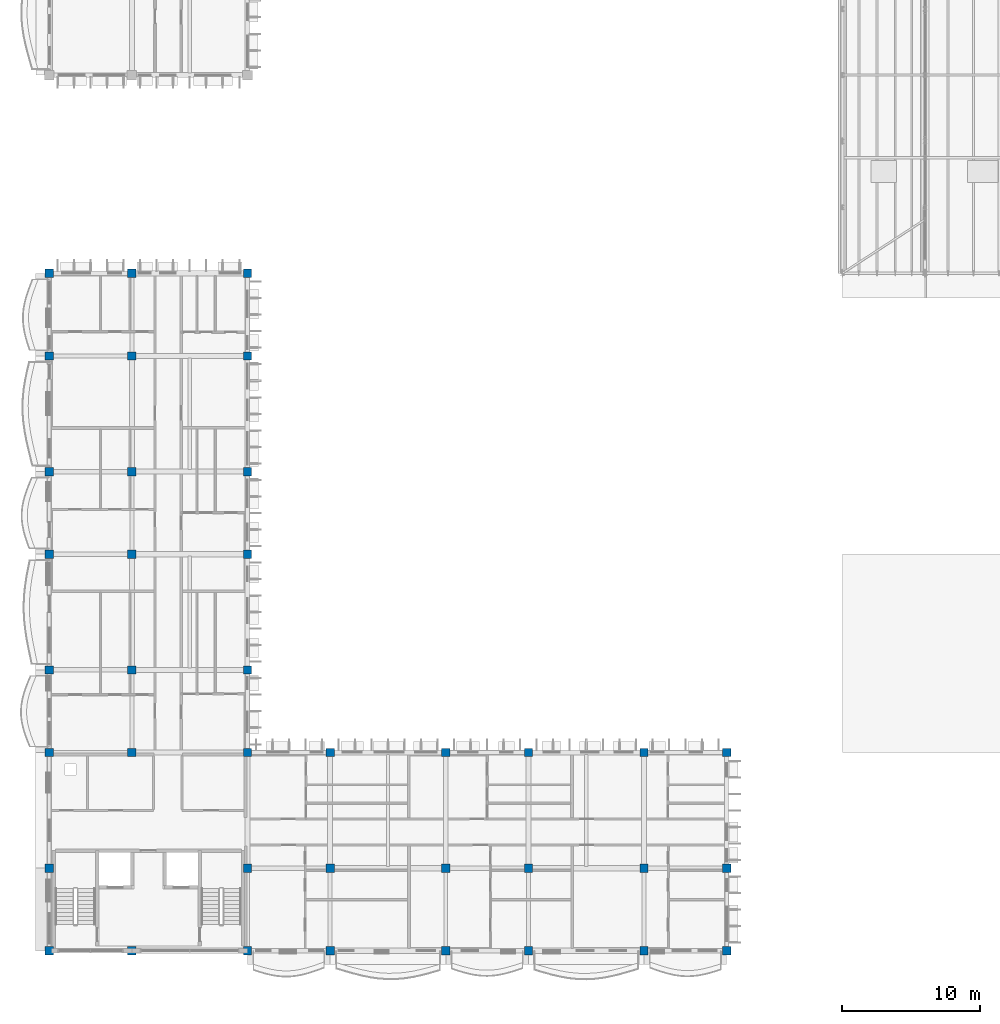
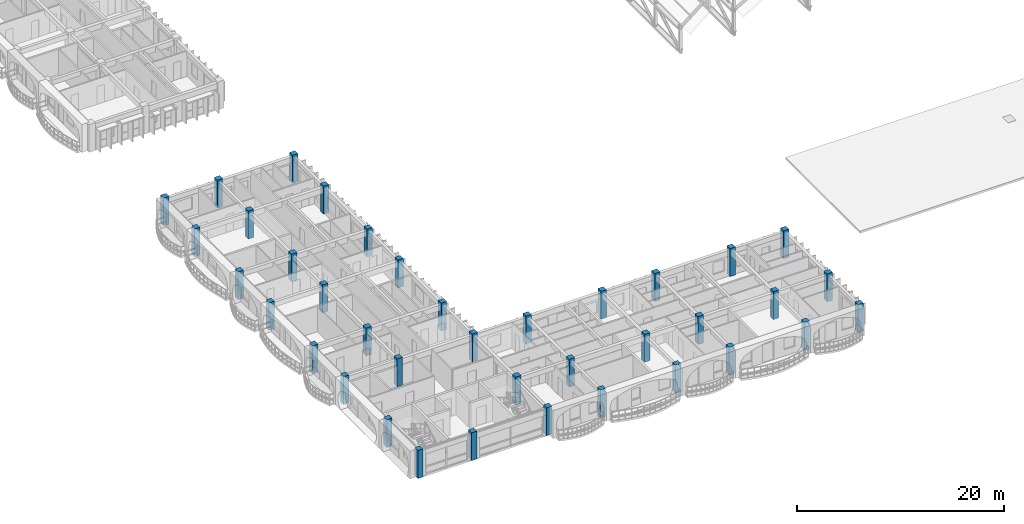
# One storey, part 1 of 101: 38 columns.
"""IFC4 building model written with IfcOpenShell, lengths in metres."""

from ifc_helpers import new_model, si_unit, direction, frame, origin, origin_2d, place, context, subcontext, project, spatial, rectangle, extrude, material, material_profile, profile_set, type_object, element, save


model = new_model("IFC4")

# Units and contexts
model_context = context("Model", 3, precision=1e-05, world=origin(), true_north=direction((0.0, 1.0)))
body_context = subcontext(model_context, "Body", "Model", "MODEL_VIEW")
ifc_project = project(units=[si_unit("LENGTHUNIT", "METRE"), si_unit("AREAUNIT", "SQUARE_METRE"), si_unit("VOLUMEUNIT", "CUBIC_METRE"), si_unit("PLANEANGLEUNIT", "RADIAN"), si_unit("MASSUNIT", "GRAM", prefix="KILO"), si_unit("THERMODYNAMICTEMPERATUREUNIT", "KELVIN")], contexts=[model_context])

# Site, building, storey
site_placement = place(None, origin())
site = spatial("IfcSite", under=ifc_project, at=site_placement, CompositionType="ELEMENT")
building_placement = place(site_placement, origin())
building = spatial("IfcBuilding", under=site, at=building_placement, Name="Thalorik Housing Commons", CompositionType="ELEMENT")
storey_placement = place(building_placement, frame((0.0, 0.0, 8.10009765625)))
storey = spatial("IfcBuildingStorey", under=building, at=storey_placement, Name="L02", CompositionType="ELEMENT", Elevation=8.10009765625)

# Columns
ifc_material = material(Name="Precast concrete C40/50", Category="concrete")
ifc_material_profile = material_profile(ifc_material, rectangle(XDim=0.60009765625, YDim=0.60009765625, at=origin_2d()), Name="PC 600x600", Category="concrete")
ifc_profile_set = profile_set([ifc_material_profile], Name="Precast concrete C40/50")
column_type = type_object("IfcColumnType", Name="STR-COL-PC600", PredefinedType="COLUMN", material=ifc_profile_set)
for number, where, z_axis, x_axis, name in (
    (1, (8.39990234375, 8.39990234375, 0.0), (0.0, 0.0, 1.0), (1.0, 0.0, 0.0), "L02 Column C-600"),
    (2, (8.39990234375, 14.39990234375, 0.0), (0.0, 0.0, 1.0), (1.0, 0.0, 0.0), "L02 Column C-600"),
    (3, (8.39990234375, 22.800048828125, 0.0), (0.0, 0.0, 1.0), (1.0, 0.0, 0.0), "L02 Column C-600"),
    (4, (8.39990234375, 28.800048828125, 0.0), (0.0, 0.0, 1.0), (1.0, 0.0, 0.0), "L02 Column C-600"),
    (5, (8.39990234375, 37.199951171875, 0.0), (0.0, 0.0, 1.0), (1.0, 0.0, 0.0), "L02 Column C-600"),
    (6, (8.39990234375, 43.199951171875, 0.0), (0.0, 0.0, 1.0), (1.0, 0.0, 0.0), "L02 Column C-600"),
    (7, (8.39990234375, 51.60009765625, 0.0), (0.0, 0.0, 1.0), (1.0, 0.0, 0.0), "L02 Column C-600"),
    (8, (8.39990234375, 57.60009765625, 0.0), (0.0, 0.0, 1.0), (1.0, 0.0, 0.0), "L02 Column C-600"),
    (9, (14.39990234375, 8.39990234375, 0.0), (0.0, 0.0, 1.0), (1.0, 0.0, 0.0), "L02 Column C-600"),
    (10, (14.39990234375, 22.800048828125, 0.0), (0.0, 0.0, 1.0), (1.0, 0.0, 0.0), "L02 Column C-600"),
    (11, (14.39990234375, 28.800048828125, 0.0), (0.0, 0.0, 1.0), (1.0, 0.0, 0.0), "L02 Column C-600"),
    (12, (14.39990234375, 37.199951171875, 0.0), (0.0, 0.0, 1.0), (1.0, 0.0, 0.0), "L02 Column C-600"),
    (13, (14.39990234375, 43.199951171875, 0.0), (0.0, 0.0, 1.0), (1.0, 0.0, 0.0), "L02 Column C-600"),
    (14, (14.39990234375, 51.60009765625, 0.0), (0.0, 0.0, 1.0), (1.0, 0.0, 0.0), "L02 Column C-600"),
    (15, (14.39990234375, 57.60009765625, 0.0), (0.0, 0.0, 1.0), (1.0, 0.0, 0.0), "L02 Column C-600"),
    (16, (22.800048828125, 8.39990234375, 0.0), (0.0, 0.0, 1.0), (1.0, 0.0, 0.0), "L02 Column C-600"),
    (17, (22.800048828125, 14.39990234375, 0.0), (0.0, 0.0, 1.0), (1.0, 0.0, 0.0), "L02 Column C-600"),
    (18, (22.800048828125, 22.800048828125, 0.0), (0.0, 0.0, 1.0), (1.0, 0.0, 0.0), "L02 Column C-600"),
    (19, (22.800048828125, 28.800048828125, 0.0), (0.0, 0.0, 1.0), (1.0, 0.0, 0.0), "L02 Column C-600"),
    (20, (22.800048828125, 37.199951171875, 0.0), (0.0, 0.0, 1.0), (1.0, 0.0, 0.0), "L02 Column C-600"),
    (21, (22.800048828125, 43.199951171875, 0.0), (0.0, 0.0, 1.0), (1.0, 0.0, 0.0), "L02 Column C-600"),
    (22, (22.800048828125, 51.60009765625, 0.0), (0.0, 0.0, 1.0), (1.0, 0.0, 0.0), "L02 Column C-600"),
    (23, (22.800048828125, 57.60009765625, 0.0), (0.0, 0.0, 1.0), (1.0, 0.0, 0.0), "L02 Column C-600"),
    (24, (28.800048828125, 8.39990234375, 0.0), (0.0, 0.0, 1.0), (1.0, 0.0, 0.0), "L02 Column C-600"),
    (25, (28.800048828125, 14.39990234375, 0.0), (0.0, 0.0, 1.0), (1.0, 0.0, 0.0), "L02 Column C-600"),
    (26, (28.800048828125, 22.800048828125, 0.0), (0.0, 0.0, 1.0), (1.0, 0.0, 0.0), "L02 Column C-600"),
    (27, (37.199951171875, 8.39990234375, 0.0), (0.0, 0.0, 1.0), (1.0, 0.0, 0.0), "L02 Column C-600"),
    (28, (37.199951171875, 14.39990234375, 0.0), (0.0, 0.0, 1.0), (1.0, 0.0, 0.0), "L02 Column C-600"),
    (29, (37.199951171875, 22.800048828125, 0.0), (0.0, 0.0, 1.0), (1.0, 0.0, 0.0), "L02 Column C-600"),
    (30, (43.199951171875, 8.39990234375, 0.0), (0.0, 0.0, 1.0), (1.0, 0.0, 0.0), "L02 Column C-600"),
    (31, (43.199951171875, 14.39990234375, 0.0), (0.0, 0.0, 1.0), (1.0, 0.0, 0.0), "L02 Column C-600"),
    (32, (43.199951171875, 22.800048828125, 0.0), (0.0, 0.0, 1.0), (1.0, 0.0, 0.0), "L02 Column C-600"),
    (33, (51.60009765625, 8.39990234375, 0.0), (0.0, 0.0, 1.0), (1.0, 0.0, 0.0), "L02 Column C-600"),
    (34, (51.60009765625, 14.39990234375, 0.0), (0.0, 0.0, 1.0), (1.0, 0.0, 0.0), "L02 Column C-600"),
    (35, (51.60009765625, 22.800048828125, 0.0), (0.0, 0.0, 1.0), (1.0, 0.0, 0.0), "L02 Column C-600"),
    (36, (57.60009765625, 8.39990234375, 0.0), (0.0, 0.0, 1.0), (1.0, 0.0, 0.0), "L02 Column C-600"),
    (37, (57.60009765625, 14.39990234375, 0.0), (0.0, 0.0, 1.0), (1.0, 0.0, 0.0), "L02 Column C-600"),
    (38, (57.60009765625, 22.800048828125, 0.0), (0.0, 0.0, 1.0), (1.0, 0.0, 0.0), "L02 Column C-600"),
):
    element("IfcColumn", number, at=place(storey_placement, frame(where, z_axis=z_axis, x_axis=x_axis)), inside=storey, type_object=column_type, Name=name, PredefinedType="COLUMN", context=body_context, shape_type="SweptSolid", body=[
        extrude(rectangle(XDim=0.60009765625, YDim=0.60009765625, at=origin_2d()), origin(), (0.0, 0.0, 1.0), 3.2998046875),
    ])

save(model, "model.ifc")
